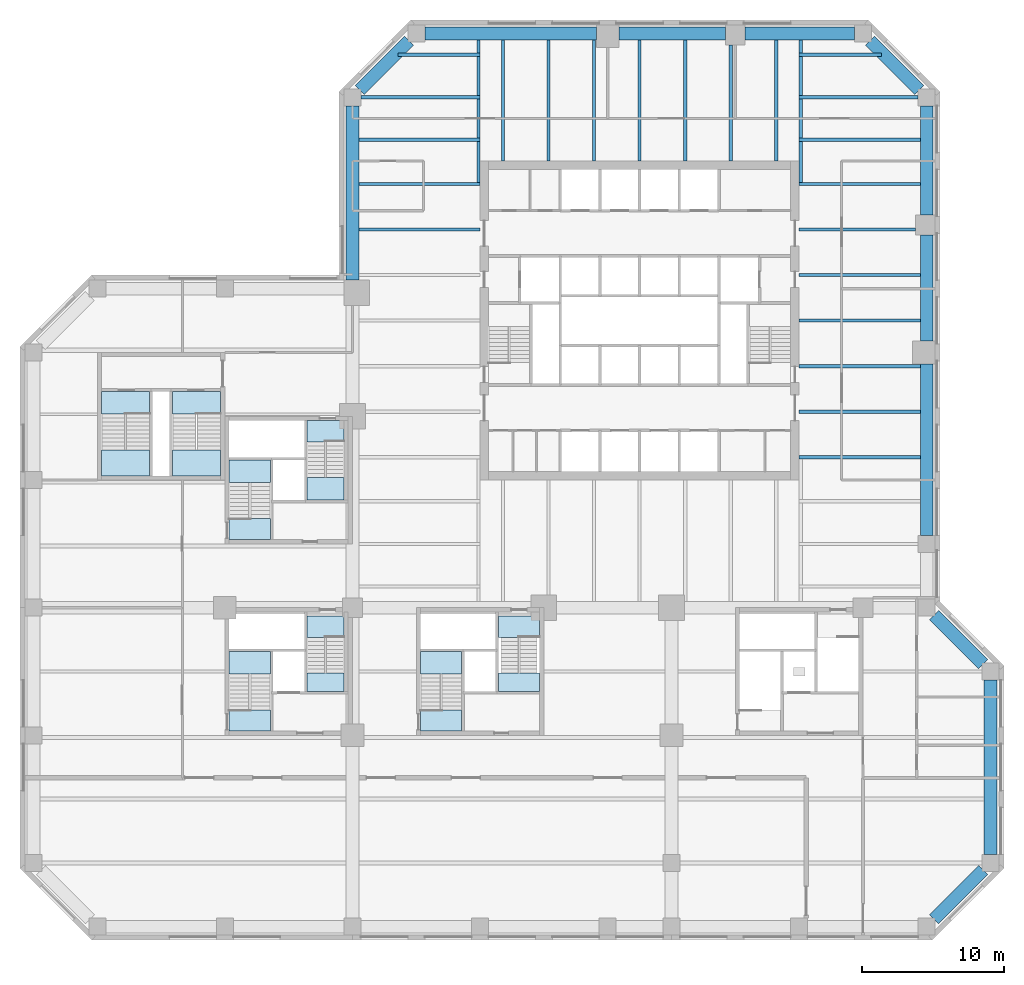
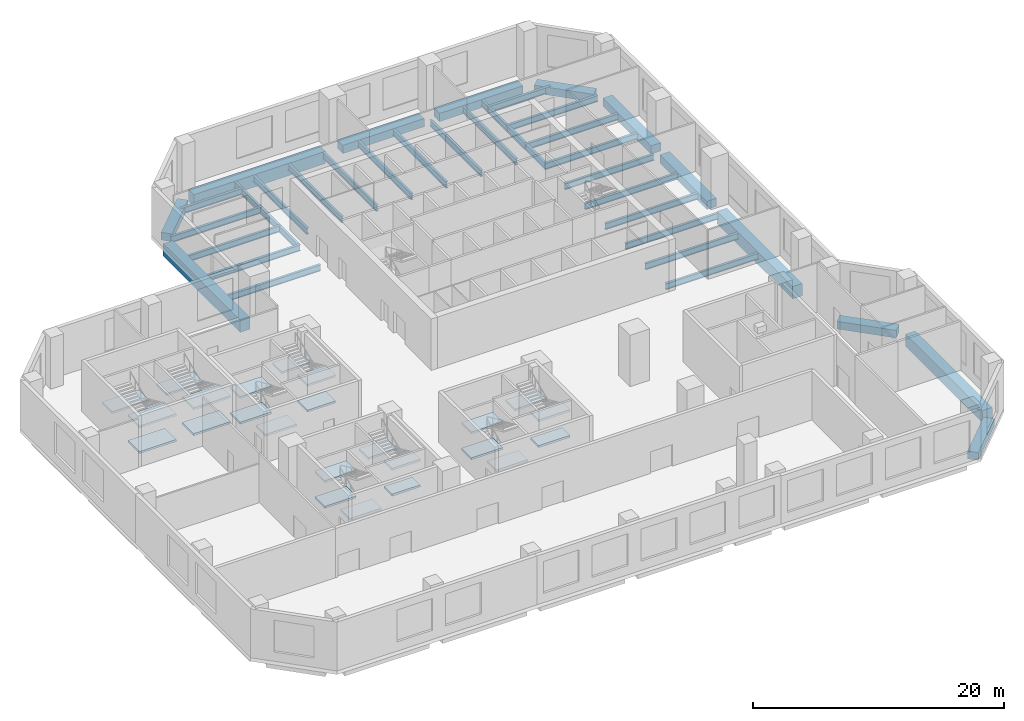
# One storey, part 2 of 12: 36 beams, 24 slabs, 8 elements without a shape of their own.
"""IFC4 building model written with IfcOpenShell, lengths in metres."""

from ifc_helpers import new_model, si_unit, direction, frame, origin, origin_2d, place, context, subcontext, project, spatial, polyline, rectangle, i_section, outline, extrude, material, layer, layer_set, material_profile, profile_set, type_object, element, aggregate, save


model = new_model("IFC4")

# Units and contexts
model_context = context("Model", 3, precision=1e-05, world=origin(), true_north=direction((0.0, 1.0)))
body_context = subcontext(model_context, "Body", "Model", "MODEL_VIEW")
ifc_project = project(units=[si_unit("LENGTHUNIT", "METRE"), si_unit("AREAUNIT", "SQUARE_METRE"), si_unit("VOLUMEUNIT", "CUBIC_METRE"), si_unit("PLANEANGLEUNIT", "RADIAN"), si_unit("MASSUNIT", "GRAM", prefix="KILO")], contexts=[model_context])

# Site, building, storey
site_placement = place(None, origin())
site = spatial("IfcSite", under=ifc_project, at=site_placement, CompositionType="ELEMENT")
building_placement = place(site_placement, origin())
building = spatial("IfcBuilding", under=site, at=building_placement, Name="Quoin Convention Tower", CompositionType="ELEMENT")
storey_placement = place(building_placement, frame((0.0, 0.0, 13.5)))
storey = spatial("IfcBuildingStorey", under=building, at=storey_placement, Name="L02", CompositionType="ELEMENT", Elevation=13.5)

# Beams
ifc_material_1 = material(Name="Steel Grade 300", Category="steel")
ifc_material_profile_1 = material_profile(ifc_material_1, i_section(OverallWidth=0.22802734375, OverallDepth=0.60205078125, WebThickness=0.010498046875, FlangeThickness=0.014892578125, FilletRadius=0.013916015625, at=origin_2d()), Name="610UB101")
ifc_profile_set_1 = profile_set([ifc_material_profile_1], Name="Steel Grade 300")
beam_type_1 = type_object("IfcBeamType", Name="610UB101", PredefinedType="BEAM", material=ifc_profile_set_1)
for number, where, z_axis, x_axis, name in (
    (1, (36.449951171875, 67.1787109375, -0.65087890625), (1.0, 0.0, 0.0), (0.0, 1.0, 0.0), "bm-L02-T1W5"),
    (2, (36.449951171875, 70.392822265625, -0.65087890625), (1.0, 0.0, 0.0), (0.0, 1.0, 0.0), "bm-L02-T1W6"),
    (3, (67.5, 51.107177734375, -0.65087890625), (1.0, 0.0, 0.0), (0.0, 1.0, 0.0), "bm-L02-T1E0"),
    (4, (67.5, 54.3212890625, -0.65087890625), (1.0, 0.0, 0.0), (0.0, 1.0, 0.0), "bm-L02-T1E1"),
    (5, (67.5, 57.53564453125, -0.65087890625), (1.0, 0.0, 0.0), (0.0, 1.0, 0.0), "bm-L02-T1E2"),
    (6, (67.5, 60.75, -0.65087890625), (1.0, 0.0, 0.0), (0.0, 1.0, 0.0), "bm-L02-T1E3"),
    (7, (67.5, 63.96435546875, -0.65087890625), (1.0, 0.0, 0.0), (0.0, 1.0, 0.0), "bm-L02-T1E4"),
):
    element("IfcBeam", number, at=place(storey_placement, frame(where, z_axis=z_axis, x_axis=x_axis)), inside=storey, type_object=beam_type_1, Name=name, PredefinedType="BEAM", context=body_context, shape_type="SweptSolid", body=[
        extrude(i_section(OverallWidth=0.22802734375, OverallDepth=0.60205078125, WebThickness=0.010498046875, FlangeThickness=0.014892578125, FilletRadius=0.013916015625, at=origin_2d()), origin(), (0.0, 0.0, 1.0), 8.550048828125),
    ])
beam_1_placement = place(storey_placement, frame((67.5, 67.1787109375, -0.65087890625), z_axis=(1.0, 0.0, 0.0), x_axis=(0.0, 1.0, 0.0)))
element("IfcBeam", 8, at=beam_1_placement, inside=storey, type_object=beam_type_1, Name="bm-L02-T1E5", PredefinedType="BEAM", context=body_context, shape_type="SweptSolid", body=[
    extrude(i_section(OverallWidth=0.22802734375, OverallDepth=0.60205078125, WebThickness=0.010498046875, FlangeThickness=0.014892578125, FilletRadius=0.013916015625, at=origin_2d()), origin(), (0.0, 0.0, 1.0), 8.199951171875),
])
for number, where, z_axis, x_axis, name in (
    (9, (67.5, 70.392822265625, -0.65087890625), (1.0, 0.0, 0.0), (0.0, 1.0, 0.0), "bm-L02-T1E6"),
    (10, (46.607177734375, 72.0, -0.65087890625), (0.0, 1.0, 0.0), (-1.0, 0.0, 0.0), "bm-L02-T1N0"),
    (11, (49.8212890625, 72.0, -0.65087890625), (0.0, 1.0, 0.0), (-1.0, 0.0, 0.0), "bm-L02-T1N1"),
    (12, (53.03564453125, 72.0, -0.65087890625), (0.0, 1.0, 0.0), (-1.0, 0.0, 0.0), "bm-L02-T1N2"),
    (13, (56.25, 72.0, -0.65087890625), (0.0, 1.0, 0.0), (-1.0, 0.0, 0.0), "bm-L02-T1N3"),
    (14, (59.46435546875, 72.0, -0.65087890625), (0.0, 1.0, 0.0), (-1.0, 0.0, 0.0), "bm-L02-T1N4"),
):
    element("IfcBeam", number, at=place(storey_placement, frame(where, z_axis=z_axis, x_axis=x_axis)), inside=storey, type_object=beam_type_1, Name=name, PredefinedType="BEAM", context=body_context, shape_type="SweptSolid", body=[
        extrude(i_section(OverallWidth=0.22802734375, OverallDepth=0.60205078125, WebThickness=0.010498046875, FlangeThickness=0.014892578125, FilletRadius=0.013916015625, at=origin_2d()), origin(), (0.0, 0.0, 1.0), 8.550048828125),
    ])
beam_2_placement = place(storey_placement, frame((62.6787109375, 72.0, -0.65087890625), z_axis=(0.0, 1.0, 0.0), x_axis=(-1.0, 0.0, 0.0)))
element("IfcBeam", 15, at=beam_2_placement, inside=storey, type_object=beam_type_1, Name="bm-L02-T1N5", PredefinedType="BEAM", context=body_context, shape_type="SweptSolid", body=[
    extrude(i_section(OverallWidth=0.22802734375, OverallDepth=0.60205078125, WebThickness=0.010498046875, FlangeThickness=0.014892578125, FilletRadius=0.013916015625, at=origin_2d()), origin(), (0.0, 0.0, 1.0), 8.199951171875),
])
beam_3_placement = place(storey_placement, frame((65.892822265625, 72.0, -0.65087890625), z_axis=(0.0, 1.0, 0.0), x_axis=(-1.0, 0.0, 0.0)))
element("IfcBeam", 16, at=beam_3_placement, inside=storey, type_object=beam_type_1, Name="bm-L02-T1N6", PredefinedType="BEAM", context=body_context, shape_type="SweptSolid", body=[
    extrude(i_section(OverallWidth=0.22802734375, OverallDepth=0.60205078125, WebThickness=0.010498046875, FlangeThickness=0.014892578125, FilletRadius=0.013916015625, at=origin_2d()), origin(), (0.0, 0.0, 1.0), 8.550048828125),
])
beam_4_placement = place(storey_placement, frame((39.2041015625, 79.5, -0.65087890625), z_axis=(1.0, 0.0, 0.0), x_axis=(0.0, 1.0, 0.0)))
element("IfcBeam", 17, at=beam_4_placement, inside=storey, type_object=beam_type_1, Name="bm-L02-T1NW0", PredefinedType="BEAM", context=body_context, shape_type="SweptSolid", body=[
    extrude(i_section(OverallWidth=0.22802734375, OverallDepth=0.60205078125, WebThickness=0.010498046875, FlangeThickness=0.014892578125, FilletRadius=0.013916015625, at=origin_2d()), origin(), (0.0, 0.0, 1.0), 5.7958984375),
])
beam_5_placement = place(storey_placement, frame((36.60009765625, 76.5, -0.65087890625), z_axis=(1.0, 0.0, 0.0), x_axis=(0.0, 1.0, 0.0)))
element("IfcBeam", 18, at=beam_5_placement, inside=storey, type_object=beam_type_1, Name="bm-L02-T1NW1", PredefinedType="BEAM", context=body_context, shape_type="SweptSolid", body=[
    extrude(i_section(OverallWidth=0.22802734375, OverallDepth=0.60205078125, WebThickness=0.010498046875, FlangeThickness=0.014892578125, FilletRadius=0.013916015625, at=origin_2d()), origin(), (0.0, 0.0, 1.0), 8.39990234375),
])
beam_6_placement = place(storey_placement, frame((36.449951171875, 73.5, -0.65087890625), z_axis=(1.0, 0.0, 0.0), x_axis=(0.0, 1.0, 0.0)))
element("IfcBeam", 19, at=beam_6_placement, inside=storey, type_object=beam_type_1, Name="bm-L02-T1NW2", PredefinedType="BEAM", context=body_context, shape_type="SweptSolid", body=[
    extrude(i_section(OverallWidth=0.22802734375, OverallDepth=0.60205078125, WebThickness=0.010498046875, FlangeThickness=0.014892578125, FilletRadius=0.013916015625, at=origin_2d()), origin(), (0.0, 0.0, 1.0), 8.550048828125),
])
beam_7_placement = place(storey_placement, frame((67.5, 79.5, -0.65087890625), z_axis=(1.0, 0.0, 0.0), x_axis=(0.0, 1.0, 0.0)))
element("IfcBeam", 20, at=beam_7_placement, inside=storey, type_object=beam_type_1, Name="bm-L02-T1NE0", PredefinedType="BEAM", context=body_context, shape_type="SweptSolid", body=[
    extrude(i_section(OverallWidth=0.22802734375, OverallDepth=0.60205078125, WebThickness=0.010498046875, FlangeThickness=0.014892578125, FilletRadius=0.013916015625, at=origin_2d()), origin(), (0.0, 0.0, 1.0), 5.7958984375),
])
beam_8_placement = place(storey_placement, frame((67.5, 76.5, -0.65087890625), z_axis=(1.0, 0.0, 0.0), x_axis=(0.0, 1.0, 0.0)))
element("IfcBeam", 21, at=beam_8_placement, inside=storey, type_object=beam_type_1, Name="bm-L02-T1NE1", PredefinedType="BEAM", context=body_context, shape_type="SweptSolid", body=[
    extrude(i_section(OverallWidth=0.22802734375, OverallDepth=0.60205078125, WebThickness=0.010498046875, FlangeThickness=0.014892578125, FilletRadius=0.013916015625, at=origin_2d()), origin(), (0.0, 0.0, 1.0), 8.39990234375),
])
beam_9_placement = place(storey_placement, frame((67.5, 73.5, -0.65087890625), z_axis=(1.0, 0.0, 0.0), x_axis=(0.0, 1.0, 0.0)))
element("IfcBeam", 22, at=beam_9_placement, inside=storey, type_object=beam_type_1, Name="bm-L02-T1NE2", PredefinedType="BEAM", context=body_context, shape_type="SweptSolid", body=[
    extrude(i_section(OverallWidth=0.22802734375, OverallDepth=0.60205078125, WebThickness=0.010498046875, FlangeThickness=0.014892578125, FilletRadius=0.013916015625, at=origin_2d()), origin(), (0.0, 0.0, 1.0), 8.550048828125),
])
ifc_material_profile_2 = material_profile(ifc_material_1, i_section(OverallWidth=0.22900390625, OverallDepth=0.612060546875, WebThickness=0.011962890625, FlangeThickness=0.01953125, FilletRadius=0.013916015625, at=origin_2d()), Name="610UB125")
ifc_profile_set_2 = profile_set([ifc_material_profile_2], Name="Steel Grade 300")
beam_type_2 = type_object("IfcBeamType", Name="610UB125", PredefinedType="BEAM", material=ifc_profile_set_2)
for number, where, z_axis, x_axis, name in (
    (23, (44.885498046875, 80.550048828125, -0.656005859375), (0.0, -1.0, 0.0), (1.0, 0.0, 0.0), "gir-L02-T1NW"),
    (24, (67.614501953125, 80.550048828125, -0.656005859375), (0.0, -1.0, 0.0), (1.0, 0.0, 0.0), "gir-L02-T1NE"),
):
    element("IfcBeam", number, at=place(storey_placement, frame(where, z_axis=z_axis, x_axis=x_axis)), inside=storey, type_object=beam_type_2, Name=name, PredefinedType="BEAM", context=body_context, shape_type="SweptSolid", body=[
        extrude(i_section(OverallWidth=0.22900390625, OverallDepth=0.612060546875, WebThickness=0.011962890625, FlangeThickness=0.01953125, FilletRadius=0.013916015625, at=origin_2d()), origin(), (0.0, 0.0, 1.0), 10.043212890625),
    ])
ifc_material_2 = material(Name="Concrete C100 (100 MPa)", Category="concrete")
ifc_material_profile_3 = material_profile(ifc_material_2, rectangle(XDim=0.89990234375, YDim=1.199951171875, at=origin_2d()), Name="RC 900x1200")
ifc_profile_set_3 = profile_set([ifc_material_profile_3], Name="Concrete C100 (100 MPa)")
beam_type_3 = type_object("IfcBeamType", Name="RC 900x1200 C100", PredefinedType="SPANDREL", material=ifc_profile_set_3)
beam_10_placement = place(storey_placement, frame((81.0, 23.10009765625, -0.949951171875), z_axis=(0.0, 1.0, 0.0), x_axis=(-1.0, 0.0, 0.0)))
element("IfcBeam", 25, at=beam_10_placement, inside=storey, type_object=beam_type_3, Name="spd-L02-81000_22500-81000_36000", PredefinedType="SPANDREL", context=body_context, shape_type="SweptSolid", body=[
    extrude(rectangle(XDim=0.89990234375, YDim=1.199951171875, at=origin_2d()), origin(), (0.0, 0.0, 1.0), 12.2998046875),
])
for number, where, z_axis, x_axis, name in (
    (26, (76.5, 45.60009765625, -0.949951171875), (0.0, 1.0, 0.0), (-1.0, 0.0, 0.0), "spd-L02-76500_45000-76500_58500"),
    (27, (53.199951171875, 81.0, -0.949951171875), (-1.0, 0.0, 0.0), (0.0, -1.0, 0.0), "spd-L02-54000_81000-40500_81000"),
):
    element("IfcBeam", number, at=place(storey_placement, frame(where, z_axis=z_axis, x_axis=x_axis)), inside=storey, type_object=beam_type_3, Name=name, PredefinedType="SPANDREL", context=body_context, shape_type="SweptSolid", body=[
        extrude(rectangle(XDim=0.89990234375, YDim=1.199951171875, at=origin_2d()), origin(), (0.0, 0.0, 1.0), 12.099853515625),
    ])
beam_11_placement = place(storey_placement, frame((36.0, 75.89990234375, -0.949951171875), z_axis=(0.0, -1.0, 0.0), x_axis=(1.0, 0.0, 0.0)))
element("IfcBeam", 28, at=beam_11_placement, inside=storey, type_object=beam_type_3, Name="spd-L02-36000_76500-36000_63000", PredefinedType="SPANDREL", context=body_context, shape_type="SweptSolid", body=[
    extrude(rectangle(XDim=0.89990234375, YDim=1.199951171875, at=origin_2d()), origin(), (0.0, 0.0, 1.0), 12.2998046875),
])
ifc_material_profile_4 = material_profile(ifc_material_2, rectangle(XDim=0.89990234375, YDim=0.75, at=origin_2d()), Name="RC 900x750")
ifc_profile_set_4 = profile_set([ifc_material_profile_4], Name="Concrete C100 (100 MPa)")
beam_type_4 = type_object("IfcBeamType", Name="RC 900x750 C100", PredefinedType="SPANDREL", material=ifc_profile_set_4)
for number, where, z_axis, x_axis, name in (
    (29, (77.01513671875, 18.51513671875, -0.72509765625), (0.707106781187, 0.707106781187, 0.0), (-0.707106781187, 0.707106781187, 0.0), "spd-L02-76500_18000-81000_22500"),
    (30, (80.48486328125, 36.51513671875, -0.72509765625), (-0.707106781187, 0.707106781187, 0.0), (-0.707106781187, -0.707106781187, 0.0), "spd-L02-81000_36000-76500_40500"),
    (31, (75.98486328125, 77.01513671875, -0.72509765625), (-0.707106781187, 0.707106781187, 0.0), (-0.707106781187, -0.707106781187, 0.0), "spd-L02-76500_76500-72000_81000"),
    (32, (39.98486328125, 80.48486328125, -0.72509765625), (-0.707106781187, -0.707106781187, 0.0), (0.707106781187, -0.707106781187, 0.0), "spd-L02-40500_81000-36000_76500"),
):
    element("IfcBeam", number, at=place(storey_placement, frame(where, z_axis=z_axis, x_axis=x_axis)), inside=storey, type_object=beam_type_4, Name=name, PredefinedType="SPANDREL", context=body_context, shape_type="SweptSolid", body=[
        extrude(rectangle(XDim=0.89990234375, YDim=0.75, at=origin_2d()), origin(), (0.0, 0.0, 1.0), 4.906982421875),
    ])
ifc_material_profile_5 = material_profile(ifc_material_2, rectangle(XDim=0.89990234375, YDim=0.800048828125, at=origin_2d()), Name="RC 900x800")
ifc_profile_set_5 = profile_set([ifc_material_profile_5], Name="Concrete C100 (100 MPa)")
beam_type_5 = type_object("IfcBeamType", Name="RC 900x800 C100", PredefinedType="SPANDREL", material=ifc_profile_set_5)
beam_12_placement = place(storey_placement, frame((76.5, 59.300048828125, -0.75), z_axis=(0.0, 1.0, 0.0), x_axis=(-1.0, 0.0, 0.0)))
element("IfcBeam", 33, at=beam_12_placement, inside=storey, type_object=beam_type_5, Name="spd-L02-76500_58500-76500_67500", PredefinedType="SPANDREL", context=body_context, shape_type="SweptSolid", body=[
    extrude(rectangle(XDim=0.89990234375, YDim=0.800048828125, at=origin_2d()), origin(), (0.0, 0.0, 1.0), 7.5),
])
for number, where, z_axis, x_axis, name in (
    (34, (76.5, 68.199951171875, -0.75), (0.0, 1.0, 0.0), (-1.0, 0.0, 0.0), "spd-L02-76500_67500-76500_76500"),
    (35, (71.39990234375, 81.0, -0.75), (-1.0, 0.0, 0.0), (0.0, -1.0, 0.0), "spd-L02-72000_81000-63000_81000"),
):
    element("IfcBeam", number, at=place(storey_placement, frame(where, z_axis=z_axis, x_axis=x_axis)), inside=storey, type_object=beam_type_5, Name=name, PredefinedType="SPANDREL", context=body_context, shape_type="SweptSolid", body=[
        extrude(rectangle(XDim=0.89990234375, YDim=0.800048828125, at=origin_2d()), origin(), (0.0, 0.0, 1.0), 7.699951171875),
    ])
beam_13_placement = place(storey_placement, frame((62.300048828125, 81.0, -0.75), z_axis=(-1.0, 0.0, 0.0), x_axis=(0.0, -1.0, 0.0)))
element("IfcBeam", 36, at=beam_13_placement, inside=storey, type_object=beam_type_5, Name="spd-L02-63000_81000-54000_81000", PredefinedType="SPANDREL", context=body_context, shape_type="SweptSolid", body=[
    extrude(rectangle(XDim=0.89990234375, YDim=0.800048828125, at=origin_2d()), origin(), (0.0, 0.0, 1.0), 7.5),
])

# Stair, slabs
ifc_material_3 = material(Name="Concrete C40", Category="concrete")
stair_type_1 = type_object("IfcStairType", Name="Exit stair four-flight 1350", PredefinedType="DOUBLE_RETURN_STAIR", material=ifc_material_3)
stair_1_placement = place(storey_placement, origin())
stair_1 = element("IfcStair", 37, at=stair_1_placement, inside=storey, type_object=stair_type_1, Name="SD3 L02", PredefinedType="DOUBLE_RETURN_STAIR")
ifc_layer = layer(ifc_material_3, 0.199951171875)
ifc_layer_set = layer_set([ifc_layer], Name="Concrete C40")
slab_type = type_object("IfcSlabType", Name="Stair landing 200", PredefinedType="LANDING", material=ifc_layer_set)
slab_1_placement = place(storey_placement, frame((0.0, 0.0, 1.050048828125)))
slab_1 = element("IfcSlab", 38, at=slab_1_placement, type_object=slab_type, Name="ST3 landing 1", PredefinedType="LANDING", context=body_context, shape_type="SweptSolid", body=[
    extrude(outline(polyline([(27.300048828125, 49.320068359375), (30.199951171875, 49.320068359375), (30.199951171875, 50.89990234375), (27.300048828125, 50.89990234375), (27.300048828125, 49.320068359375)])), origin(), (0.0, 0.0, 1.0), 0.199951171875),
])
slab_2_placement = place(storey_placement, frame((0.0, 0.0, 2.300048828125)))
slab_2 = element("IfcSlab", 39, at=slab_2_placement, type_object=slab_type, Name="ST3 landing 2", PredefinedType="LANDING", context=body_context, shape_type="SweptSolid", body=[
    extrude(outline(polyline([(27.300048828125, 45.300048828125), (30.199951171875, 45.300048828125), (30.199951171875, 46.800048828125), (27.300048828125, 46.800048828125), (27.300048828125, 45.300048828125)])), origin(), (0.0, 0.0, 1.0), 0.199951171875),
])
slab_3_placement = place(storey_placement, frame((0.0, 0.0, 3.550048828125)))
slab_3 = element("IfcSlab", 40, at=slab_3_placement, type_object=slab_type, Name="ST3 landing 3", PredefinedType="LANDING", context=body_context, shape_type="SweptSolid", body=[
    extrude(outline(polyline([(27.300048828125, 49.320068359375), (30.199951171875, 49.320068359375), (30.199951171875, 50.89990234375), (27.300048828125, 50.89990234375), (27.300048828125, 49.320068359375)])), origin(), (0.0, 0.0, 1.0), 0.199951171875),
])
aggregate(stair_1, [slab_1, slab_2, slab_3])

stair_type_2 = type_object("IfcStairType", Name="Exit stair four-flight 1200", PredefinedType="DOUBLE_RETURN_STAIR", material=ifc_material_3)
stair_2_placement = place(storey_placement, origin())
stair_2 = element("IfcStair", 41, at=stair_2_placement, inside=storey, type_object=stair_type_2, Name="SD4 L02", PredefinedType="DOUBLE_RETURN_STAIR")
slab_4_placement = place(storey_placement, frame((0.0, 0.0, 1.050048828125)))
slab_4 = element("IfcSlab", 42, at=slab_4_placement, type_object=slab_type, Name="ST4 landing 1", PredefinedType="LANDING", context=body_context, shape_type="SweptSolid", body=[
    extrude(outline(polyline([(35.39990234375, 49.679931640625), (32.800048828125, 49.679931640625), (32.800048828125, 48.10009765625), (35.39990234375, 48.10009765625), (35.39990234375, 49.679931640625)])), origin(), (0.0, 0.0, 1.0), 0.199951171875),
])
slab_5_placement = place(storey_placement, frame((0.0, 0.0, 2.300048828125)))
slab_5 = element("IfcSlab", 43, at=slab_5_placement, type_object=slab_type, Name="ST4 landing 2", PredefinedType="LANDING", context=body_context, shape_type="SweptSolid", body=[
    extrude(outline(polyline([(35.39990234375, 53.699951171875), (32.800048828125, 53.699951171875), (32.800048828125, 52.199951171875), (35.39990234375, 52.199951171875), (35.39990234375, 53.699951171875)])), origin(), (0.0, 0.0, 1.0), 0.199951171875),
])
slab_6_placement = place(storey_placement, frame((0.0, 0.0, 3.550048828125)))
slab_6 = element("IfcSlab", 44, at=slab_6_placement, type_object=slab_type, Name="ST4 landing 3", PredefinedType="LANDING", context=body_context, shape_type="SweptSolid", body=[
    extrude(outline(polyline([(35.39990234375, 49.679931640625), (32.800048828125, 49.679931640625), (32.800048828125, 48.10009765625), (35.39990234375, 48.10009765625), (35.39990234375, 49.679931640625)])), origin(), (0.0, 0.0, 1.0), 0.199951171875),
])
aggregate(stair_2, [slab_4, slab_5, slab_6])

stair_3_placement = place(storey_placement, origin())
stair_3 = element("IfcStair", 45, at=stair_3_placement, inside=storey, type_object=stair_type_1, Name="SD5 L02", PredefinedType="DOUBLE_RETURN_STAIR")
slab_7_placement = place(storey_placement, frame((0.0, 0.0, 1.050048828125)))
slab_7 = element("IfcSlab", 46, at=slab_7_placement, type_object=slab_type, Name="ST5 landing 1", PredefinedType="LANDING", context=body_context, shape_type="SweptSolid", body=[
    extrude(outline(polyline([(40.800048828125, 35.820068359375), (43.699951171875, 35.820068359375), (43.699951171875, 37.39990234375), (40.800048828125, 37.39990234375), (40.800048828125, 35.820068359375)])), origin(), (0.0, 0.0, 1.0), 0.199951171875),
])
slab_8_placement = place(storey_placement, frame((0.0, 0.0, 2.300048828125)))
slab_8 = element("IfcSlab", 47, at=slab_8_placement, type_object=slab_type, Name="ST5 landing 2", PredefinedType="LANDING", context=body_context, shape_type="SweptSolid", body=[
    extrude(outline(polyline([(40.800048828125, 31.800048828125), (43.699951171875, 31.800048828125), (43.699951171875, 33.300048828125), (40.800048828125, 33.300048828125), (40.800048828125, 31.800048828125)])), origin(), (0.0, 0.0, 1.0), 0.199951171875),
])
slab_9_placement = place(storey_placement, frame((0.0, 0.0, 3.550048828125)))
slab_9 = element("IfcSlab", 48, at=slab_9_placement, type_object=slab_type, Name="ST5 landing 3", PredefinedType="LANDING", context=body_context, shape_type="SweptSolid", body=[
    extrude(outline(polyline([(40.800048828125, 35.820068359375), (43.699951171875, 35.820068359375), (43.699951171875, 37.39990234375), (40.800048828125, 37.39990234375), (40.800048828125, 35.820068359375)])), origin(), (0.0, 0.0, 1.0), 0.199951171875),
])
aggregate(stair_3, [slab_7, slab_8, slab_9])

stair_4_placement = place(storey_placement, origin())
stair_4 = element("IfcStair", 49, at=stair_4_placement, inside=storey, type_object=stair_type_2, Name="SD6 L02", PredefinedType="DOUBLE_RETURN_STAIR")
slab_10_placement = place(storey_placement, frame((0.0, 0.0, 1.050048828125)))
slab_10 = element("IfcSlab", 50, at=slab_10_placement, type_object=slab_type, Name="ST6 landing 1", PredefinedType="LANDING", context=body_context, shape_type="SweptSolid", body=[
    extrude(outline(polyline([(49.199951171875, 35.8798828125), (46.300048828125, 35.8798828125), (46.300048828125, 34.60009765625), (49.199951171875, 34.60009765625), (49.199951171875, 35.8798828125)])), origin(), (0.0, 0.0, 1.0), 0.199951171875),
])
slab_11_placement = place(storey_placement, frame((0.0, 0.0, 2.300048828125)))
slab_11 = element("IfcSlab", 51, at=slab_11_placement, type_object=slab_type, Name="ST6 landing 2", PredefinedType="LANDING", context=body_context, shape_type="SweptSolid", body=[
    extrude(outline(polyline([(49.199951171875, 39.89990234375), (46.300048828125, 39.89990234375), (46.300048828125, 38.39990234375), (49.199951171875, 38.39990234375), (49.199951171875, 39.89990234375)])), origin(), (0.0, 0.0, 1.0), 0.199951171875),
])
slab_12_placement = place(storey_placement, frame((0.0, 0.0, 3.550048828125)))
slab_12 = element("IfcSlab", 52, at=slab_12_placement, type_object=slab_type, Name="ST6 landing 3", PredefinedType="LANDING", context=body_context, shape_type="SweptSolid", body=[
    extrude(outline(polyline([(49.199951171875, 35.8798828125), (46.300048828125, 35.8798828125), (46.300048828125, 34.60009765625), (49.199951171875, 34.60009765625), (49.199951171875, 35.8798828125)])), origin(), (0.0, 0.0, 1.0), 0.199951171875),
])
aggregate(stair_4, [slab_10, slab_11, slab_12])

stair_5_placement = place(storey_placement, origin())
stair_5 = element("IfcStair", 53, at=stair_5_placement, inside=storey, type_object=stair_type_1, Name="SD7 L02", PredefinedType="DOUBLE_RETURN_STAIR")
slab_13_placement = place(storey_placement, frame((0.0, 0.0, 1.050048828125)))
slab_13 = element("IfcSlab", 54, at=slab_13_placement, type_object=slab_type, Name="ST7 landing 1", PredefinedType="LANDING", context=body_context, shape_type="SweptSolid", body=[
    extrude(outline(polyline([(27.300048828125, 35.820068359375), (30.199951171875, 35.820068359375), (30.199951171875, 37.39990234375), (27.300048828125, 37.39990234375), (27.300048828125, 35.820068359375)])), origin(), (0.0, 0.0, 1.0), 0.199951171875),
])
slab_14_placement = place(storey_placement, frame((0.0, 0.0, 2.300048828125)))
slab_14 = element("IfcSlab", 55, at=slab_14_placement, type_object=slab_type, Name="ST7 landing 2", PredefinedType="LANDING", context=body_context, shape_type="SweptSolid", body=[
    extrude(outline(polyline([(27.300048828125, 31.800048828125), (30.199951171875, 31.800048828125), (30.199951171875, 33.300048828125), (27.300048828125, 33.300048828125), (27.300048828125, 31.800048828125)])), origin(), (0.0, 0.0, 1.0), 0.199951171875),
])
slab_15_placement = place(storey_placement, frame((0.0, 0.0, 3.550048828125)))
slab_15 = element("IfcSlab", 56, at=slab_15_placement, type_object=slab_type, Name="ST7 landing 3", PredefinedType="LANDING", context=body_context, shape_type="SweptSolid", body=[
    extrude(outline(polyline([(27.300048828125, 35.820068359375), (30.199951171875, 35.820068359375), (30.199951171875, 37.39990234375), (27.300048828125, 37.39990234375), (27.300048828125, 35.820068359375)])), origin(), (0.0, 0.0, 1.0), 0.199951171875),
])
aggregate(stair_5, [slab_13, slab_14, slab_15])

stair_6_placement = place(storey_placement, origin())
stair_6 = element("IfcStair", 57, at=stair_6_placement, inside=storey, type_object=stair_type_2, Name="SD8 L02", PredefinedType="DOUBLE_RETURN_STAIR")
slab_16_placement = place(storey_placement, frame((0.0, 0.0, 1.050048828125)))
slab_16 = element("IfcSlab", 58, at=slab_16_placement, type_object=slab_type, Name="ST8 landing 1", PredefinedType="LANDING", context=body_context, shape_type="SweptSolid", body=[
    extrude(outline(polyline([(35.39990234375, 35.8798828125), (32.800048828125, 35.8798828125), (32.800048828125, 34.60009765625), (35.39990234375, 34.60009765625), (35.39990234375, 35.8798828125)])), origin(), (0.0, 0.0, 1.0), 0.199951171875),
])
slab_17_placement = place(storey_placement, frame((0.0, 0.0, 2.300048828125)))
slab_17 = element("IfcSlab", 59, at=slab_17_placement, type_object=slab_type, Name="ST8 landing 2", PredefinedType="LANDING", context=body_context, shape_type="SweptSolid", body=[
    extrude(outline(polyline([(35.39990234375, 39.89990234375), (32.800048828125, 39.89990234375), (32.800048828125, 38.39990234375), (35.39990234375, 38.39990234375), (35.39990234375, 39.89990234375)])), origin(), (0.0, 0.0, 1.0), 0.199951171875),
])
slab_18_placement = place(storey_placement, frame((0.0, 0.0, 3.550048828125)))
slab_18 = element("IfcSlab", 60, at=slab_18_placement, type_object=slab_type, Name="ST8 landing 3", PredefinedType="LANDING", context=body_context, shape_type="SweptSolid", body=[
    extrude(outline(polyline([(35.39990234375, 35.8798828125), (32.800048828125, 35.8798828125), (32.800048828125, 34.60009765625), (35.39990234375, 34.60009765625), (35.39990234375, 35.8798828125)])), origin(), (0.0, 0.0, 1.0), 0.199951171875),
])
aggregate(stair_6, [slab_16, slab_17, slab_18])

stair_type_3 = type_object("IfcStairType", Name="Exit stair four-flight 1600", PredefinedType="DOUBLE_RETURN_STAIR", material=ifc_material_3)
stair_7_placement = place(storey_placement, origin())
stair_7 = element("IfcStair", 61, at=stair_7_placement, inside=storey, type_object=stair_type_3, Name="SD11 L02", PredefinedType="DOUBLE_RETURN_STAIR")
slab_19_placement = place(storey_placement, frame((0.0, 0.0, 1.050048828125)))
slab_19 = element("IfcSlab", 62, at=slab_19_placement, type_object=slab_type, Name="ST11 landing 1", PredefinedType="LANDING", context=body_context, shape_type="SweptSolid", body=[
    extrude(outline(polyline([(21.699951171875, 51.6298828125), (18.300048828125, 51.6298828125), (18.300048828125, 49.800048828125), (21.699951171875, 49.800048828125), (21.699951171875, 51.6298828125)])), origin(), (0.0, 0.0, 1.0), 0.199951171875),
])
slab_20_placement = place(storey_placement, frame((0.0, 0.0, 2.300048828125)))
slab_20 = element("IfcSlab", 63, at=slab_20_placement, type_object=slab_type, Name="ST11 landing 2", PredefinedType="LANDING", context=body_context, shape_type="SweptSolid", body=[
    extrude(outline(polyline([(21.699951171875, 55.75), (18.300048828125, 55.75), (18.300048828125, 54.14990234375), (21.699951171875, 54.14990234375), (21.699951171875, 55.75)])), origin(), (0.0, 0.0, 1.0), 0.199951171875),
])
slab_21_placement = place(storey_placement, frame((0.0, 0.0, 3.550048828125)))
slab_21 = element("IfcSlab", 64, at=slab_21_placement, type_object=slab_type, Name="ST11 landing 3", PredefinedType="LANDING", context=body_context, shape_type="SweptSolid", body=[
    extrude(outline(polyline([(21.699951171875, 51.6298828125), (18.300048828125, 51.6298828125), (18.300048828125, 49.800048828125), (21.699951171875, 49.800048828125), (21.699951171875, 51.6298828125)])), origin(), (0.0, 0.0, 1.0), 0.199951171875),
])
aggregate(stair_7, [slab_19, slab_20, slab_21])

stair_8_placement = place(storey_placement, origin())
stair_8 = element("IfcStair", 65, at=stair_8_placement, inside=storey, type_object=stair_type_3, Name="SD12 L02", PredefinedType="DOUBLE_RETURN_STAIR")
slab_22_placement = place(storey_placement, frame((0.0, 0.0, 1.050048828125)))
slab_22 = element("IfcSlab", 66, at=slab_22_placement, type_object=slab_type, Name="ST12 landing 1", PredefinedType="LANDING", context=body_context, shape_type="SweptSolid", body=[
    extrude(outline(polyline([(26.699951171875, 51.6298828125), (23.300048828125, 51.6298828125), (23.300048828125, 49.800048828125), (26.699951171875, 49.800048828125), (26.699951171875, 51.6298828125)])), origin(), (0.0, 0.0, 1.0), 0.199951171875),
])
slab_23_placement = place(storey_placement, frame((0.0, 0.0, 2.300048828125)))
slab_23 = element("IfcSlab", 67, at=slab_23_placement, type_object=slab_type, Name="ST12 landing 2", PredefinedType="LANDING", context=body_context, shape_type="SweptSolid", body=[
    extrude(outline(polyline([(26.699951171875, 55.75), (23.300048828125, 55.75), (23.300048828125, 54.14990234375), (26.699951171875, 54.14990234375), (26.699951171875, 55.75)])), origin(), (0.0, 0.0, 1.0), 0.199951171875),
])
slab_24_placement = place(storey_placement, frame((0.0, 0.0, 3.550048828125)))
slab_24 = element("IfcSlab", 68, at=slab_24_placement, type_object=slab_type, Name="ST12 landing 3", PredefinedType="LANDING", context=body_context, shape_type="SweptSolid", body=[
    extrude(outline(polyline([(26.699951171875, 51.6298828125), (23.300048828125, 51.6298828125), (23.300048828125, 49.800048828125), (26.699951171875, 49.800048828125), (26.699951171875, 51.6298828125)])), origin(), (0.0, 0.0, 1.0), 0.199951171875),
])
aggregate(stair_8, [slab_22, slab_23, slab_24])

save(model, "model.ifc")
